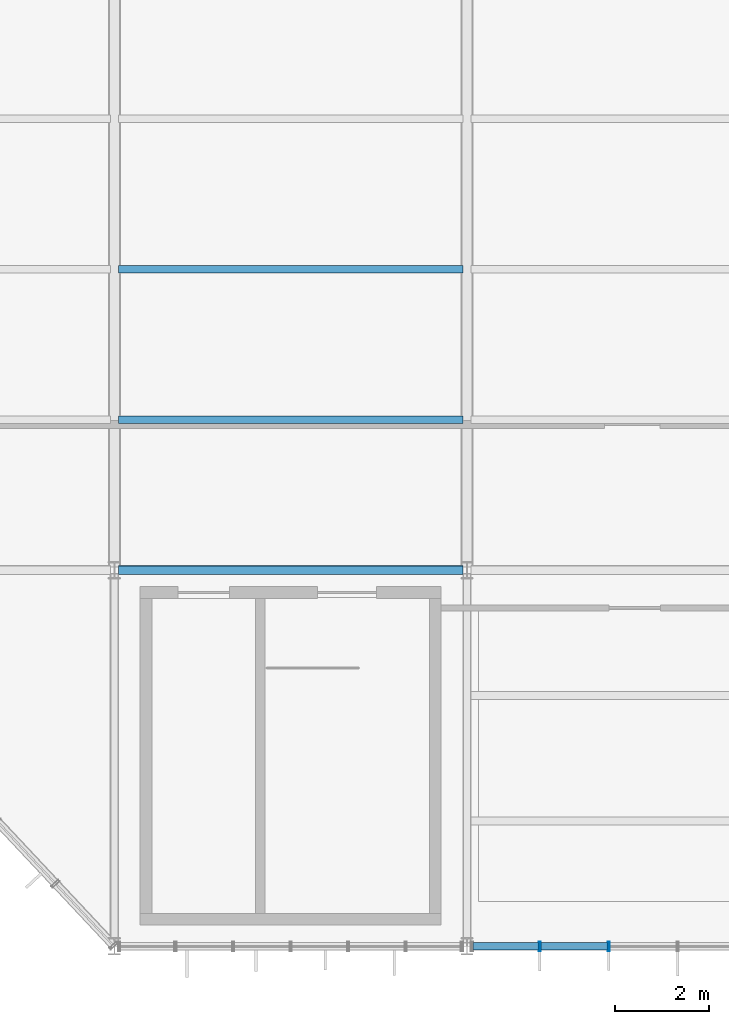
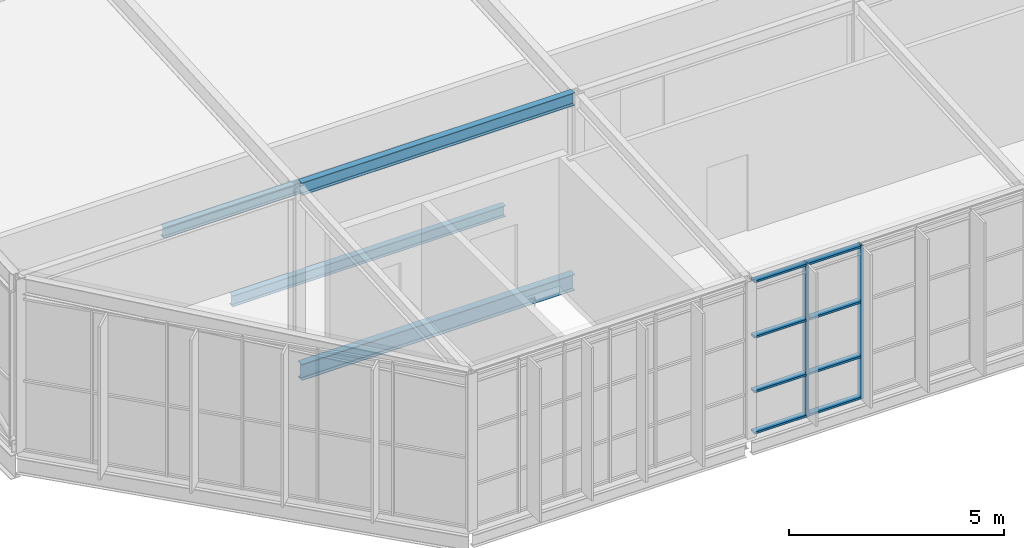
# One storey, part 13 of 104: 10 members, 4 beams, 1 element without a shape of its own.
"""IFC4 building model written with IfcOpenShell, lengths in metres."""

import ifcopenshell
import ifcopenshell.guid

model = None  # the IFC model being written
_history = None  # IfcOwnerHistory: only IFC2X3 demands one
_inside = {}  # id of a spatial element -> (the spatial element, [elements in it])
_under = {}  # id of a project, library or spatial element -> (it, [spatial elements below it])
_declared = {}  # id of a project -> (the project, [libraries it declares])
_typed = {}  # id of a type object -> (the type object, [elements of that type])
_made_of = {}  # id of a material, layer set ... -> (it, [elements and type objects made of it])


def new_model(schema):
    """Start an empty IFC model of exactly this schema.

    Asked for "IFC4X3", IfcOpenShell would pick the latest addendum, in which some entities
    have other attributes; the version numbers below select the first issue.
    IFC2X3 requires an IfcOwnerHistory on every rooted entity: one is made here for all.
    """
    global model, _history
    if schema == "IFC4X3":
        model = ifcopenshell.file(schema_version=(4, 3, 0, 0))
    else:
        model = ifcopenshell.file(schema=schema)
    _inside.clear()
    _under.clear()
    _declared.clear()
    _typed.clear()
    _made_of.clear()
    _history = None
    if model.schema == "IFC2X3":
        org = make("IfcOrganization", Name="unknown")
        user = make(
            "IfcPersonAndOrganization",
            ThePerson=make("IfcPerson", FamilyName="unknown"),
            TheOrganization=org,
        )
        app = make(
            "IfcApplication",
            ApplicationDeveloper=org,
            Version="unknown",
            ApplicationFullName="unknown",
            ApplicationIdentifier="unknown",
        )
        _history = make(
            "IfcOwnerHistory",
            OwningUser=user,
            OwningApplication=app,
            ChangeAction="ADDED",
            CreationDate=0,
        )
    return model


def make(cls, **values):
    """One entity of the class cls with the attributes given. An attribute that is None is left unset."""
    return model.create_entity(
        cls, **{name: value for name, value in values.items() if value is not None}
    )


def rooted(cls, **values):
    """An entity with a GlobalId (a new one), such as an element, a storey or a relation."""
    return make(cls, GlobalId=ifcopenshell.guid.new(), OwnerHistory=_history, **values)


def si_unit(unit_type, name, prefix=None):
    """IfcSIUnit, for example si_unit("LENGTHUNIT", "METRE", prefix="MILLI")."""
    return make("IfcSIUnit", UnitType=unit_type, Prefix=prefix, Name=name)


def assignment(units):
    """IfcUnitAssignment: the units of a project."""
    return None if units is None else make("IfcUnitAssignment", Units=units)


def point(xyz):
    """IfcCartesianPoint."""
    return None if xyz is None else make("IfcCartesianPoint", Coordinates=xyz)


def direction(xyz):
    """IfcDirection."""
    return None if xyz is None else make("IfcDirection", DirectionRatios=xyz)


def frame(location, z_axis=None, x_axis=None):
    """IfcAxis2Placement3D, a coordinate frame: its origin and axes. An axis left out is left unset."""
    return make(
        "IfcAxis2Placement3D",
        Location=point(location),
        Axis=direction(z_axis),
        RefDirection=direction(x_axis),
    )


def frame_2d(location, x_axis=None):
    """IfcAxis2Placement2D, a coordinate frame in the plane: its origin and x axis."""
    return make(
        "IfcAxis2Placement2D", Location=point(location), RefDirection=direction(x_axis)
    )


def origin():
    """The frame at (0, 0, 0) with its axes left unset."""
    return frame((0.0, 0.0, 0.0))


def origin_2d():
    """The frame at (0, 0) in the plane with its x axis left unset."""
    return frame_2d((0.0, 0.0))


def place(relative_to, where):
    """IfcLocalPlacement: puts the frame where relative to a parent placement (None: the world)."""
    return make(
        "IfcLocalPlacement", PlacementRelTo=relative_to, RelativePlacement=where
    )


def context(
    kind, dimensions, precision=None, world=None, true_north=None, identifier=None
):
    """IfcGeometricRepresentationContext, for example the 3D "Model" context."""
    return make(
        "IfcGeometricRepresentationContext",
        ContextIdentifier=identifier,
        ContextType=kind,
        CoordinateSpaceDimension=dimensions,
        Precision=precision,
        WorldCoordinateSystem=world,
        TrueNorth=true_north,
    )


def subcontext(parent, identifier, kind, view, scale=None):
    """IfcGeometricRepresentationSubContext, for example "Body" below "Model"."""
    return make(
        "IfcGeometricRepresentationSubContext",
        ContextIdentifier=identifier,
        ContextType=kind,
        ParentContext=parent,
        TargetScale=scale,
        TargetView=view,
    )


def project(units=None, contexts=None):
    """IfcProject with its units and contexts."""
    return rooted(
        "IfcProject",
        Name="project",
        RepresentationContexts=contexts,
        UnitsInContext=assignment(units),
    )


def spatial(cls, under=None, at=None, **own):
    """A site, building, storey or space (cls), placed at a placement, below another one or the project."""
    s = rooted(cls, ObjectPlacement=at, **own)
    if under is not None:
        _under.setdefault(under.id(), (under, []))[1].append(s)
    return s


def profile(cls, at=None, kind="AREA", **sizes):
    """A parametric profile (cls). Its sizes go by their IFC names, for example OverallWidth=200.0."""
    return make(cls, ProfileType=kind, Position=at, **sizes)


def hollow_rectangle(**sizes):
    """IfcRectangleHollowProfileDef."""
    return profile("IfcRectangleHollowProfileDef", **sizes)


def i_section(**sizes):
    """IfcIShapeProfileDef."""
    return profile("IfcIShapeProfileDef", **sizes)


def extrude(swept, where, along, depth):
    """IfcExtrudedAreaSolid: the profile swept, set in the frame where, extruded along a direction by depth."""
    return make(
        "IfcExtrudedAreaSolid",
        SweptArea=swept,
        Position=where,
        ExtrudedDirection=direction(along),
        Depth=depth,
    )


def shape(context_of_items, identifier, shape_type, items):
    """IfcShapeRepresentation: the items that make up one representation, for example the "Body"."""
    return make(
        "IfcShapeRepresentation",
        ContextOfItems=context_of_items,
        RepresentationIdentifier=identifier,
        RepresentationType=shape_type,
        Items=items,
    )


def material(Name=None, Category=None):
    """IfcMaterial."""
    return make("IfcMaterial", Name=Name, Category=Category)


def layer(
    of_material, thickness, ventilated=None, Name=None, Category=None, Priority=None
):
    """IfcMaterialLayer: one layer of a wall or slab, of a material (None: an air gap)."""
    return make(
        "IfcMaterialLayer",
        Material=of_material,
        LayerThickness=thickness,
        IsVentilated=ventilated,
        Name=Name,
        Category=Category,
        Priority=Priority,
    )


def layer_set(layers, Name=None):
    """IfcMaterialLayerSet."""
    return make("IfcMaterialLayerSet", MaterialLayers=layers, LayerSetName=Name)


def material_profile(
    of_material, cross_section, Name=None, Category=None, Priority=None
):
    """IfcMaterialProfile: a cross section and its material."""
    return make(
        "IfcMaterialProfile",
        Name=Name,
        Material=of_material,
        Profile=cross_section,
        Priority=Priority,
        Category=Category,
    )


def profile_set(profiles, Name=None, composite=None):
    """IfcMaterialProfileSet."""
    return make(
        "IfcMaterialProfileSet",
        Name=Name,
        MaterialProfiles=profiles,
        CompositeProfile=composite,
    )


def made_of(thing, what):
    """Note that an element or type object is made of a material, layer set ...; save() writes the relation."""
    if what is not None:
        _made_of.setdefault(what.id(), (what, []))[1].append(thing)
    return thing


def type_object(cls, material=None, **own):
    """A type object (cls), such as IfcWallType, which elements share."""
    return made_of(rooted(cls, **own), material)


def element(
    cls,
    number,
    at=None,
    inside=None,
    cuts=None,
    type_object=None,
    material=None,
    context=None,
    identifier="Body",
    shape_type=None,
    held_by="IfcProductDefinitionShape",
    body=None,
    shapes=None,
    **own,
):
    """One element of the class cls, such as IfcWall. Its Tag is "e" and its number.

    at: its placement. inside: the storey or other place that contains it. cuts: it is an
    opening in that element (IfcRelVoidsElement). A single representation is given by context,
    identifier, shape_type and body (its items); several are given by shapes. held_by: the class
    of the entity that holds the representations. save() writes the other relations.
    """
    e = rooted(cls, Tag="e%d" % number, ObjectPlacement=at, **own)
    if body is not None:
        shapes = [shape(context, identifier, shape_type, body)]
    if shapes is not None:
        e.Representation = make(held_by, Representations=shapes)
    if inside is not None:
        _inside.setdefault(inside.id(), (inside, []))[1].append(e)
    if cuts is not None:
        rooted(
            "IfcRelVoidsElement", RelatingBuildingElement=cuts, RelatedOpeningElement=e
        )
    if type_object is not None:
        _typed.setdefault(type_object.id(), (type_object, []))[1].append(e)
    return made_of(e, material)


def aggregate(whole, parts):
    """IfcRelAggregates: a whole, such as a stair, and the parts it consists of."""
    return rooted("IfcRelAggregates", RelatingObject=whole, RelatedObjects=parts)


def save(model, path):
    """Write the relations noted so far, then the file.

    IfcRelAggregates (storeys below a building ...), IfcRelContainedInSpatialStructure (elements
    in a storey), IfcRelDefinesByType, IfcRelAssociatesMaterial and IfcRelDeclares: one each for
    every whole, place, type object, material and project.
    """
    for whole, parts in _under.values():
        aggregate(whole, parts)
    for where, things in _inside.values():
        rooted(
            "IfcRelContainedInSpatialStructure",
            RelatedElements=things,
            RelatingStructure=where,
        )
    for kind, things in _typed.values():
        rooted("IfcRelDefinesByType", RelatedObjects=things, RelatingType=kind)
    for what, things in _made_of.values():
        rooted("IfcRelAssociatesMaterial", RelatedObjects=things, RelatingMaterial=what)
    for by, libraries in _declared.values():
        rooted("IfcRelDeclares", RelatingContext=by, RelatedDefinitions=libraries)
    model.write(path)


model = new_model("IFC4")

# Units and contexts
model_context = context("Model", 3, precision=1e-05, world=origin(), true_north=direction((0.0, 1.0)))
body_context = subcontext(model_context, "Body", "Model", "MODEL_VIEW")
ifc_project = project(units=[si_unit("LENGTHUNIT", "METRE"), si_unit("AREAUNIT", "SQUARE_METRE"), si_unit("VOLUMEUNIT", "CUBIC_METRE"), si_unit("PLANEANGLEUNIT", "RADIAN"), si_unit("MASSUNIT", "GRAM", prefix="KILO")], contexts=[model_context])

# Site, building, storey
site_placement = place(None, origin())
site = spatial("IfcSite", under=ifc_project, at=site_placement, CompositionType="ELEMENT")
building_placement = place(site_placement, origin())
building = spatial("IfcBuilding", under=site, at=building_placement, Name="Solvenia Promenade Tram Depot", CompositionType="ELEMENT")
storey_placement = place(building_placement, frame((0.0, 0.0, 9.0)))
storey = spatial("IfcBuildingStorey", under=building, at=storey_placement, Name="L02", CompositionType="ELEMENT", Elevation=9.0)

# Beam
ifc_material_1 = material(Name="Structural steel ASTM A992 Gr. 50", Category="steel")
ifc_material_profile_1 = material_profile(ifc_material_1, i_section(OverallWidth=0.19091796875, OverallDepth=0.4599609375, WebThickness=0.010009765625, FlangeThickness=0.01611328125, FilletRadius=0.012939453125, at=origin_2d()), Name="W460x82", Category="steel")
ifc_profile_set_1 = profile_set([ifc_material_profile_1], Name="Structural steel ASTM A992 Gr. 50")
beam_type_1 = type_object("IfcBeamType", Name="Beam-W460x82", PredefinedType="BEAM", material=ifc_profile_set_1)
beam_1_placement = place(storey_placement, frame((7.5849609375, 8.0, -0.449951171875), z_axis=(1.0, 0.0, 0.0), x_axis=(0.0, 1.0, 0.0)))
element("IfcBeam", 1, at=beam_1_placement, inside=storey, type_object=beam_type_1, Name="Primary Girder BM-L02-0530", PredefinedType="BEAM", context=body_context, shape_type="SweptSolid", body=[
    extrude(i_section(OverallWidth=0.19091796875, OverallDepth=0.4599609375, WebThickness=0.010009765625, FlangeThickness=0.01611328125, FilletRadius=0.012939453125, at=origin_2d()), origin(), (0.0, 0.0, 1.0), 7.330078125),
])

# Curtain wall, members
ifc_material_2 = material(Name="Anodized aluminium AW-6063 T6", Category="aluminium")
ifc_layer = layer(ifc_material_2, 0.179931640625, Name="Anodized aluminium AW-6063 T6", Category="aluminium")
ifc_layer_set = layer_set([ifc_layer], Name="Anodized aluminium AW-6063 T6")
curtain_wall_type = type_object("IfcCurtainWallType", Name="CW-Solar-1500", PredefinedType="NOTDEFINED", material=ifc_layer_set)
curtain_wall_placement = place(storey_placement, origin())
curtain_wall = element("IfcCurtainWall", 2, at=curtain_wall_placement, inside=storey, type_object=curtain_wall_type, Name="Curtain Wall CW-V4S-L02-02", PredefinedType="NOTDEFINED")
ifc_material_profile_2 = material_profile(ifc_material_2, hollow_rectangle(XDim=0.199951171875, YDim=0.048095703125, WallThickness=0.00390625, at=origin_2d()), Name="ALU-M3", Category="aluminium")
ifc_profile_set_2 = profile_set([ifc_material_profile_2], Name="Anodized aluminium AW-6063 T6")
member_type_1 = type_object("IfcMemberType", Name="CWM-Mullion-3", PredefinedType="MULLION", material=ifc_profile_set_2)
member_1_placement = place(storey_placement, frame((16.548095703125, 0.0, 0.0), z_axis=(0.0, 0.0, 1.0), x_axis=(0.0, 1.0, 0.0)))
member_1 = element("IfcMember", 3, at=member_1_placement, type_object=member_type_1, Name="CW-7 mullion 2", PredefinedType="MULLION", context=body_context, shape_type="SweptSolid", body=[
    extrude(hollow_rectangle(XDim=0.199951171875, YDim=0.048095703125, WallThickness=0.00390625, at=origin_2d()), origin(), (0.0, 0.0, 1.0), 4.35009765625),
])
member_2_placement = place(storey_placement, frame((18.01611328125, 0.0, 0.0), z_axis=(0.0, 0.0, 1.0), x_axis=(0.0, 1.0, 0.0)))
member_2 = element("IfcMember", 4, at=member_2_placement, type_object=member_type_1, Name="CW-7 mullion 3", PredefinedType="MULLION", context=body_context, shape_type="SweptSolid", body=[
    extrude(hollow_rectangle(XDim=0.199951171875, YDim=0.048095703125, WallThickness=0.00390625, at=origin_2d()), origin(), (0.0, 0.0, 1.0), 4.35009765625),
])
ifc_material_profile_3 = material_profile(ifc_material_2, hollow_rectangle(XDim=0.159912109375, YDim=0.05810546875, WallThickness=0.00390625, at=origin_2d()), Name="ALU-T3", Category="aluminium")
ifc_profile_set_3 = profile_set([ifc_material_profile_3], Name="Anodized aluminium AW-6063 T6")
member_type_2 = type_object("IfcMemberType", Name="CWT-Transom-3", PredefinedType="USERDEFINED", material=ifc_profile_set_3)
member_3_placement = place(storey_placement, frame((15.1279296875, 0.0, 0.029052734375), z_axis=(1.0, 0.0, 0.0), x_axis=(0.0, 1.0, 0.0)))
member_3 = element("IfcMember", 5, at=member_3_placement, type_object=member_type_2, Name="CW-7 transom 1.1", ObjectType="TRANSOM", PredefinedType="USERDEFINED", context=body_context, shape_type="SweptSolid", body=[
    extrude(hollow_rectangle(XDim=0.159912109375, YDim=0.05810546875, WallThickness=0.00390625, at=origin_2d()), origin(), (0.0, 0.0, 1.0), 1.39599609375),
])
member_4_placement = place(storey_placement, frame((15.1279296875, 0.0, 1.199951171875), z_axis=(1.0, 0.0, 0.0), x_axis=(0.0, 1.0, 0.0)))
member_4 = element("IfcMember", 6, at=member_4_placement, type_object=member_type_2, Name="CW-7 transom 1.2", ObjectType="TRANSOM", PredefinedType="USERDEFINED", context=body_context, shape_type="SweptSolid", body=[
    extrude(hollow_rectangle(XDim=0.159912109375, YDim=0.05810546875, WallThickness=0.00390625, at=origin_2d()), origin(), (0.0, 0.0, 1.0), 1.39599609375),
])
member_5_placement = place(storey_placement, frame((15.1279296875, 0.0, 2.75), z_axis=(1.0, 0.0, 0.0), x_axis=(0.0, 1.0, 0.0)))
member_5 = element("IfcMember", 7, at=member_5_placement, type_object=member_type_2, Name="CW-7 transom 1.3", ObjectType="TRANSOM", PredefinedType="USERDEFINED", context=body_context, shape_type="SweptSolid", body=[
    extrude(hollow_rectangle(XDim=0.159912109375, YDim=0.05810546875, WallThickness=0.00390625, at=origin_2d()), origin(), (0.0, 0.0, 1.0), 1.39599609375),
])
member_6_placement = place(storey_placement, frame((15.1279296875, 0.0, 4.321044921875), z_axis=(1.0, 0.0, 0.0), x_axis=(0.0, 1.0, 0.0)))
member_6 = element("IfcMember", 8, at=member_6_placement, type_object=member_type_2, Name="CW-7 transom 1.4", ObjectType="TRANSOM", PredefinedType="USERDEFINED", context=body_context, shape_type="SweptSolid", body=[
    extrude(hollow_rectangle(XDim=0.159912109375, YDim=0.05810546875, WallThickness=0.00390625, at=origin_2d()), origin(), (0.0, 0.0, 1.0), 1.39599609375),
])
member_7_placement = place(storey_placement, frame((16.572021484375, 0.0, 0.029052734375), z_axis=(1.0, 0.0, 0.0), x_axis=(0.0, 1.0, 0.0)))
member_7 = element("IfcMember", 9, at=member_7_placement, type_object=member_type_2, Name="CW-7 transom 2.1", ObjectType="TRANSOM", PredefinedType="USERDEFINED", context=body_context, shape_type="SweptSolid", body=[
    extrude(hollow_rectangle(XDim=0.159912109375, YDim=0.05810546875, WallThickness=0.00390625, at=origin_2d()), origin(), (0.0, 0.0, 1.0), 1.419921875),
])
member_8_placement = place(storey_placement, frame((16.572021484375, 0.0, 1.199951171875), z_axis=(1.0, 0.0, 0.0), x_axis=(0.0, 1.0, 0.0)))
member_8 = element("IfcMember", 10, at=member_8_placement, type_object=member_type_2, Name="CW-7 transom 2.2", ObjectType="TRANSOM", PredefinedType="USERDEFINED", context=body_context, shape_type="SweptSolid", body=[
    extrude(hollow_rectangle(XDim=0.159912109375, YDim=0.05810546875, WallThickness=0.00390625, at=origin_2d()), origin(), (0.0, 0.0, 1.0), 1.419921875),
])
member_9_placement = place(storey_placement, frame((16.572021484375, 0.0, 2.75), z_axis=(1.0, 0.0, 0.0), x_axis=(0.0, 1.0, 0.0)))
member_9 = element("IfcMember", 11, at=member_9_placement, type_object=member_type_2, Name="CW-7 transom 2.3", ObjectType="TRANSOM", PredefinedType="USERDEFINED", context=body_context, shape_type="SweptSolid", body=[
    extrude(hollow_rectangle(XDim=0.159912109375, YDim=0.05810546875, WallThickness=0.00390625, at=origin_2d()), origin(), (0.0, 0.0, 1.0), 1.419921875),
])
member_10_placement = place(storey_placement, frame((16.572021484375, 0.0, 4.321044921875), z_axis=(1.0, 0.0, 0.0), x_axis=(0.0, 1.0, 0.0)))
member_10 = element("IfcMember", 12, at=member_10_placement, type_object=member_type_2, Name="CW-7 transom 2.4", ObjectType="TRANSOM", PredefinedType="USERDEFINED", context=body_context, shape_type="SweptSolid", body=[
    extrude(hollow_rectangle(XDim=0.159912109375, YDim=0.05810546875, WallThickness=0.00390625, at=origin_2d()), origin(), (0.0, 0.0, 1.0), 1.419921875),
])
aggregate(curtain_wall, [member_1, member_2, member_3, member_4, member_5, member_6, member_7, member_8, member_9, member_10])

# Beams
ifc_material_profile_4 = material_profile(ifc_material_1, i_section(OverallWidth=0.166015625, OverallDepth=0.31298828125, WebThickness=0.006591796875, FlangeThickness=0.01123046875, FilletRadius=0.010009765625, at=origin_2d()), Name="W310x45", Category="steel")
ifc_profile_set_4 = profile_set([ifc_material_profile_4], Name="Structural steel ASTM A992 Gr. 50")
beam_type_2 = type_object("IfcBeamType", Name="Joist-W310x45", PredefinedType="JOIST", material=ifc_profile_set_4)
for number, where, z_axis, x_axis, name in (
    (13, (7.5849609375, 11.199951171875, -0.37646484375), (1.0, 0.0, 0.0), (0.0, 1.0, 0.0), "Secondary Floor Joist BM-L02-0563"),
    (14, (7.5849609375, 14.39990234375, -0.37646484375), (1.0, 0.0, 0.0), (0.0, 1.0, 0.0), "Secondary Floor Joist BM-L02-0564"),
):
    element("IfcBeam", number, at=place(storey_placement, frame(where, z_axis=z_axis, x_axis=x_axis)), inside=storey, type_object=beam_type_2, Name=name, PredefinedType="JOIST", context=body_context, shape_type="SweptSolid", body=[
        extrude(i_section(OverallWidth=0.166015625, OverallDepth=0.31298828125, WebThickness=0.006591796875, FlangeThickness=0.01123046875, FilletRadius=0.010009765625, at=origin_2d()), origin(), (0.0, 0.0, 1.0), 7.330078125),
    ])
ifc_material_profile_5 = material_profile(ifc_material_1, i_section(OverallWidth=0.172119140625, OverallDepth=0.35791015625, WebThickness=0.0078125, FlangeThickness=0.01318359375, FilletRadius=0.010986328125, at=origin_2d()), Name="W360x57", Category="steel")
ifc_profile_set_5 = profile_set([ifc_material_profile_5], Name="Structural steel ASTM A992 Gr. 50")
beam_type_3 = type_object("IfcBeamType", Name="Spandrel-W360x57", PredefinedType="SPANDREL", material=ifc_profile_set_5)
beam_2_placement = place(storey_placement, frame((7.5849609375, 8.0, 4.747802734375), z_axis=(1.0, 0.0, 0.0), x_axis=(0.0, 1.0, 0.0)))
element("IfcBeam", 15, at=beam_2_placement, inside=storey, type_object=beam_type_3, Name="Folded Wing Roof Eave Beam BM-L02-0862", PredefinedType="SPANDREL", context=body_context, shape_type="SweptSolid", body=[
    extrude(i_section(OverallWidth=0.172119140625, OverallDepth=0.35791015625, WebThickness=0.0078125, FlangeThickness=0.01318359375, FilletRadius=0.010986328125, at=origin_2d()), origin(), (0.0, 0.0, 1.0), 7.330078125),
])

save(model, "model.ifc")
